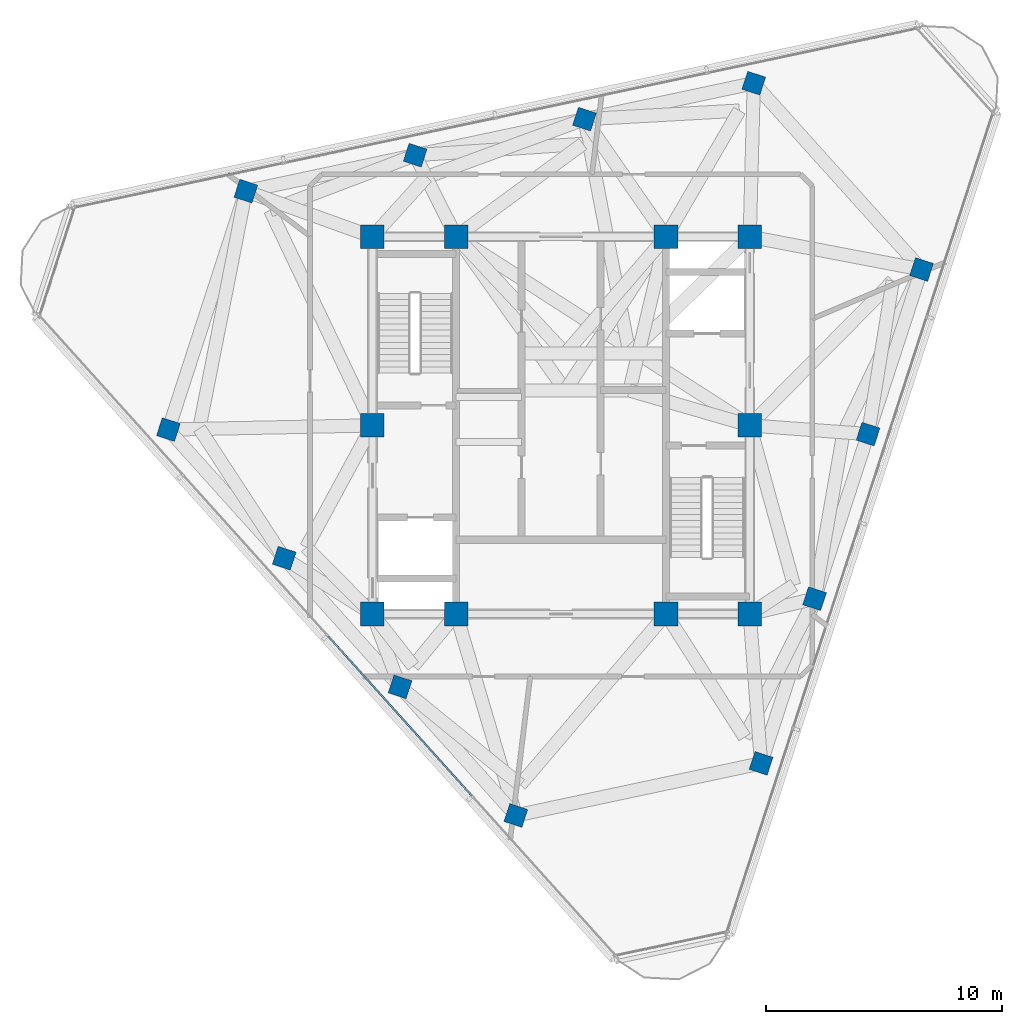
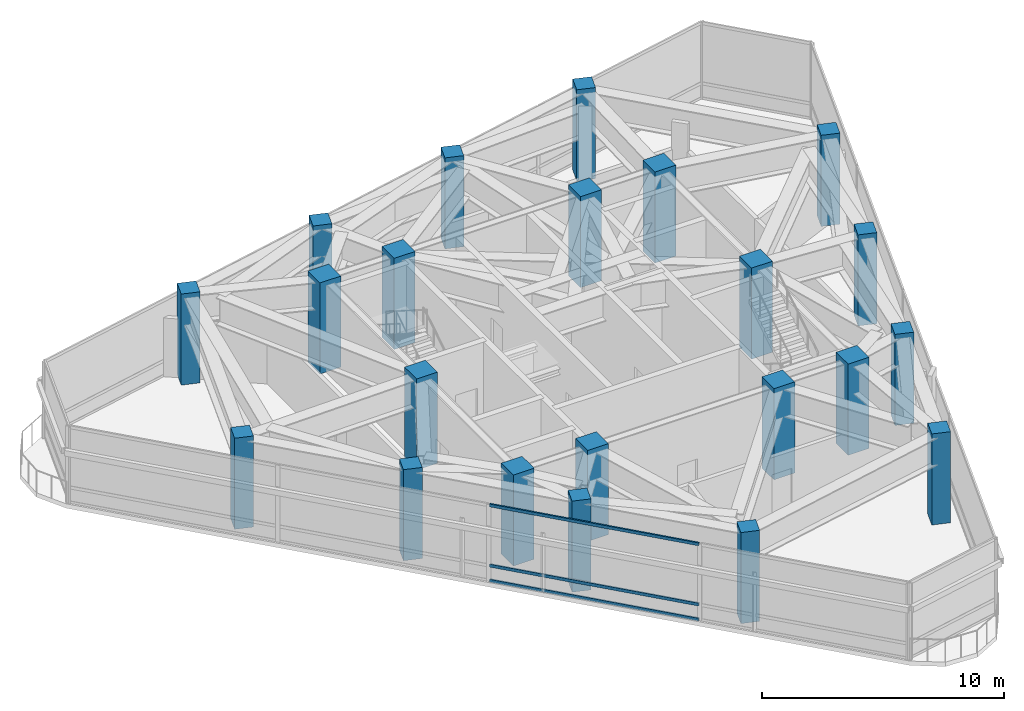
# One storey, part 1 of 10: 22 columns, 3 members, 1 element without a shape of its own.
"""IFC4 building model written with IfcOpenShell, lengths in metres."""

from ifc_helpers import new_model, si_unit, direction, frame, origin, origin_2d, place, context, subcontext, project, spatial, rectangle, extrude, material, layer, layer_set, material_profile, profile_set, type_object, element, aggregate, save


model = new_model("IFC4")

# Units and contexts
model_context = context("Model", 3, precision=1e-05, world=origin(), true_north=direction((0.0, 1.0)))
body_context = subcontext(model_context, "Body", "Model", "MODEL_VIEW")
ifc_project = project(units=[si_unit("LENGTHUNIT", "METRE"), si_unit("AREAUNIT", "SQUARE_METRE"), si_unit("VOLUMEUNIT", "CUBIC_METRE"), si_unit("PLANEANGLEUNIT", "RADIAN"), si_unit("MASSUNIT", "GRAM", prefix="KILO")], contexts=[model_context])

# Site, building, storey
site_placement = place(None, origin())
site = spatial("IfcSite", under=ifc_project, at=site_placement, CompositionType="ELEMENT")
building_placement = place(site_placement, origin())
building = spatial("IfcBuilding", under=site, at=building_placement, Name="Terralouvre Media Tower", CompositionType="ELEMENT")
storey_placement = place(building_placement, frame((0.0, 0.0, 317.39990234375)))
storey = spatial("IfcBuildingStorey", under=building, at=storey_placement, Name="L82", CompositionType="ELEMENT", Elevation=317.39990234375)

# Columns
ifc_material_1 = material(Name="Concrete C50/60", Category="concrete")
ifc_material_profile_1 = material_profile(ifc_material_1, rectangle(XDim=1.0, YDim=1.0, at=origin_2d()), Name="RC 1000x1000")
ifc_profile_set_1 = profile_set([ifc_material_profile_1], Name="Concrete C50/60")
column_type_1 = type_object("IfcColumnType", Name="Structural Column C-RC1000 (RC 1000x1000)", PredefinedType="COLUMN", material=ifc_profile_set_1)
for number, where, z_axis, x_axis, name in (
    (1, (-8.0, -8.0, 0.0), (0.0, 0.0, 1.0), (1.0, 0.0, 0.0), "L82 Core Pilaster Column CP1"),
    (2, (-4.449951171875, -8.0, 0.0), (0.0, 0.0, 1.0), (1.0, 0.0, 0.0), "L82 Core Pilaster Column CP2"),
    (3, (4.449951171875, -8.0, 0.0), (0.0, 0.0, 1.0), (1.0, 0.0, 0.0), "L82 Core Pilaster Column CP10"),
    (4, (8.0, -8.0, 0.0), (0.0, 0.0, 1.0), (1.0, 0.0, 0.0), "L82 Core Pilaster Column CP3"),
    (5, (8.0, 0.0, 0.0), (0.0, 0.0, 1.0), (1.0, 0.0, 0.0), "L82 Core Pilaster Column CP4"),
    (6, (8.0, 8.0, 0.0), (0.0, 0.0, 1.0), (1.0, 0.0, 0.0), "L82 Core Pilaster Column CP5"),
    (7, (4.449951171875, 8.0, 0.0), (0.0, 0.0, 1.0), (1.0, 0.0, 0.0), "L82 Core Pilaster Column CP9"),
    (8, (-4.449951171875, 8.0, 0.0), (0.0, 0.0, 1.0), (1.0, 0.0, 0.0), "L82 Core Pilaster Column CP6"),
    (9, (-8.0, 8.0, 0.0), (0.0, 0.0, 1.0), (1.0, 0.0, 0.0), "L82 Core Pilaster Column CP7"),
    (10, (-8.0, 0.0, 0.0), (0.0, 0.0, 1.0), (1.0, 0.0, 0.0), "L82 Core Pilaster Column CP8"),
):
    element("IfcColumn", number, at=place(storey_placement, frame(where, z_axis=z_axis, x_axis=x_axis)), inside=storey, type_object=column_type_1, Name=name, PredefinedType="COLUMN", context=body_context, shape_type="SweptSolid", body=[
        extrude(rectangle(XDim=1.0, YDim=1.0, at=origin_2d()), origin(), (0.0, 0.0, 1.0), 4.60009765625),
    ])
ifc_material_2 = material(Name="Concrete C50/60", Category="concrete")
ifc_material_profile_2 = material_profile(ifc_material_2, rectangle(XDim=0.800048828125, YDim=0.800048828125, at=origin_2d()), Name="RC 800x800")
ifc_profile_set_2 = profile_set([ifc_material_profile_2], Name="Concrete C50/60")
column_type_2 = type_object("IfcColumnType", Name="Structural Column C-RC800 (RC 800x800)", PredefinedType="COLUMN", material=ifc_profile_set_2)
for number, where, z_axis, x_axis, name in (
    (11, (8.48046875, -14.33203125, 0.0), (0.0, 0.0, 1.0), (0.309016994375, 0.951056516295, 0.0), "L82 Perimeter Mega-Column PC11"),
    (12, (10.748779296875, -7.351318359375, 0.0), (0.0, 0.0, 1.0), (0.309016994375, 0.951056516295, 0.0), "L82 Perimeter Mega-Column PC12"),
    (13, (13.016845703125, -0.37060546875, 0.0), (0.0, 0.0, 1.0), (0.309016994375, 0.951056516295, 0.0), "L82 Perimeter Mega-Column PC13"),
    (14, (15.28515625, 6.610107421875, 0.0), (0.0, 0.0, 1.0), (0.309016994375, 0.951056516295, 0.0), "L82 Perimeter Mega-Column PC14"),
    (15, (8.171630859375, 14.510498046875, 0.0), (0.0, 0.0, 1.0), (0.309016994375, 0.951056516295, 0.0), "L82 Perimeter Mega-Column PC21"),
    (16, (0.9921875, 12.984375, 0.0), (0.0, 0.0, 1.0), (0.309016994375, 0.951056516295, 0.0), "L82 Perimeter Mega-Column PC22"),
    (17, (-6.1875, 11.458251953125, 0.0), (0.0, 0.0, 1.0), (0.309016994375, 0.951056516295, 0.0), "L82 Perimeter Mega-Column PC23"),
    (18, (-13.3671875, 9.93212890625, 0.0), (0.0, 0.0, 1.0), (0.309016994375, 0.951056516295, 0.0), "L82 Perimeter Mega-Column PC24"),
    (19, (-16.65234375, -0.178466796875, 0.0), (0.0, 0.0, 1.0), (0.309016994375, 0.951056516295, 0.0), "L82 Perimeter Mega-Column PC31"),
    (20, (-11.74072265625, -5.633056640625, 0.0), (0.0, 0.0, 1.0), (0.309016994375, 0.951056516295, 0.0), "L82 Perimeter Mega-Column PC32"),
    (21, (-6.829345703125, -11.087646484375, 0.0), (0.0, 0.0, 1.0), (0.309016994375, 0.951056516295, 0.0), "L82 Perimeter Mega-Column PC33"),
    (22, (-1.91796875, -16.54248046875, 0.0), (0.0, 0.0, 1.0), (0.309016994375, 0.951056516295, 0.0), "L82 Perimeter Mega-Column PC34"),
):
    element("IfcColumn", number, at=place(storey_placement, frame(where, z_axis=z_axis, x_axis=x_axis)), inside=storey, type_object=column_type_2, Name=name, PredefinedType="COLUMN", context=body_context, shape_type="SweptSolid", body=[
        extrude(rectangle(XDim=0.800048828125, YDim=0.800048828125, at=origin_2d()), origin(), (0.0, 0.0, 1.0), 4.60009765625),
    ])

# Curtain wall, members
ifc_material_3 = material(Name="Low-iron laminated double glazing with solar-control coating", Category="glass")
ifc_layer = layer(ifc_material_3, 0.1650390625, Name="Faceted Glass-Point Crown Curtain Wall CW-06")
ifc_layer_set = layer_set([ifc_layer], Name="Low-iron laminated double glazing with solar-control coating")
curtain_wall_type = type_object("IfcCurtainWallType", Name="Faceted Glass-Point Crown Curtain Wall CW-06", PredefinedType="NOTDEFINED", material=ifc_layer_set)
curtain_wall_placement = place(storey_placement, origin())
curtain_wall = element("IfcCurtainWall", 23, at=curtain_wall_placement, inside=storey, type_object=curtain_wall_type, Name="L82 Facade Curtain Wall F2", PredefinedType="NOTDEFINED")
ifc_material_4 = material(Name="Anodised extruded aluminium 6063-T6", Category="aluminium")
ifc_material_profile_3 = material_profile(ifc_material_4, rectangle(XDim=0.074951171875, YDim=0.14990234375, at=origin_2d()), Name="ALU 75x150")
ifc_profile_set_3 = profile_set([ifc_material_profile_3], Name="Anodised extruded aluminium 6063-T6")
member_type = type_object("IfcMemberType", Name="Curtain-Wall Horizontal Transom TR-150", PredefinedType="USERDEFINED", material=ifc_profile_set_3)
member_1_placement = place(storey_placement, frame((-9.876953125, -8.943603515625, 0.03759765625), z_axis=(0.669127761208, -0.743147387253, 0.0), x_axis=(0.743147387253, 0.669127761208, 0.0)))
member_1 = element("IfcMember", 24, at=member_1_placement, type_object=member_type, Name="CW-06 transom 3.1", ObjectType="TRANSOM", PredefinedType="USERDEFINED", context=body_context, shape_type="SweptSolid", body=[
    extrude(rectangle(XDim=0.074951171875, YDim=0.14990234375, at=origin_2d()), origin(), (0.0, 0.0, 1.0), 9.10009765625),
])
member_2_placement = place(storey_placement, frame((-9.876953125, -8.943603515625, 0.800048828125), z_axis=(0.669127761208, -0.743147387253, 0.0), x_axis=(0.743147387253, 0.669127761208, 0.0)))
member_2 = element("IfcMember", 25, at=member_2_placement, type_object=member_type, Name="CW-06 transom 3.2", ObjectType="TRANSOM", PredefinedType="USERDEFINED", context=body_context, shape_type="SweptSolid", body=[
    extrude(rectangle(XDim=0.074951171875, YDim=0.14990234375, at=origin_2d()), origin(), (0.0, 0.0, 1.0), 9.10009765625),
])
member_3_placement = place(storey_placement, frame((-9.876953125, -8.943603515625, 3.842529296875), z_axis=(0.669127761208, -0.743147387253, 0.0), x_axis=(0.743147387253, 0.669127761208, 0.0)))
member_3 = element("IfcMember", 26, at=member_3_placement, type_object=member_type, Name="CW-06 transom 3.3", ObjectType="TRANSOM", PredefinedType="USERDEFINED", context=body_context, shape_type="SweptSolid", body=[
    extrude(rectangle(XDim=0.074951171875, YDim=0.14990234375, at=origin_2d()), origin(), (0.0, 0.0, 1.0), 9.10009765625),
])
aggregate(curtain_wall, [member_1, member_2, member_3])

save(model, "model.ifc")
